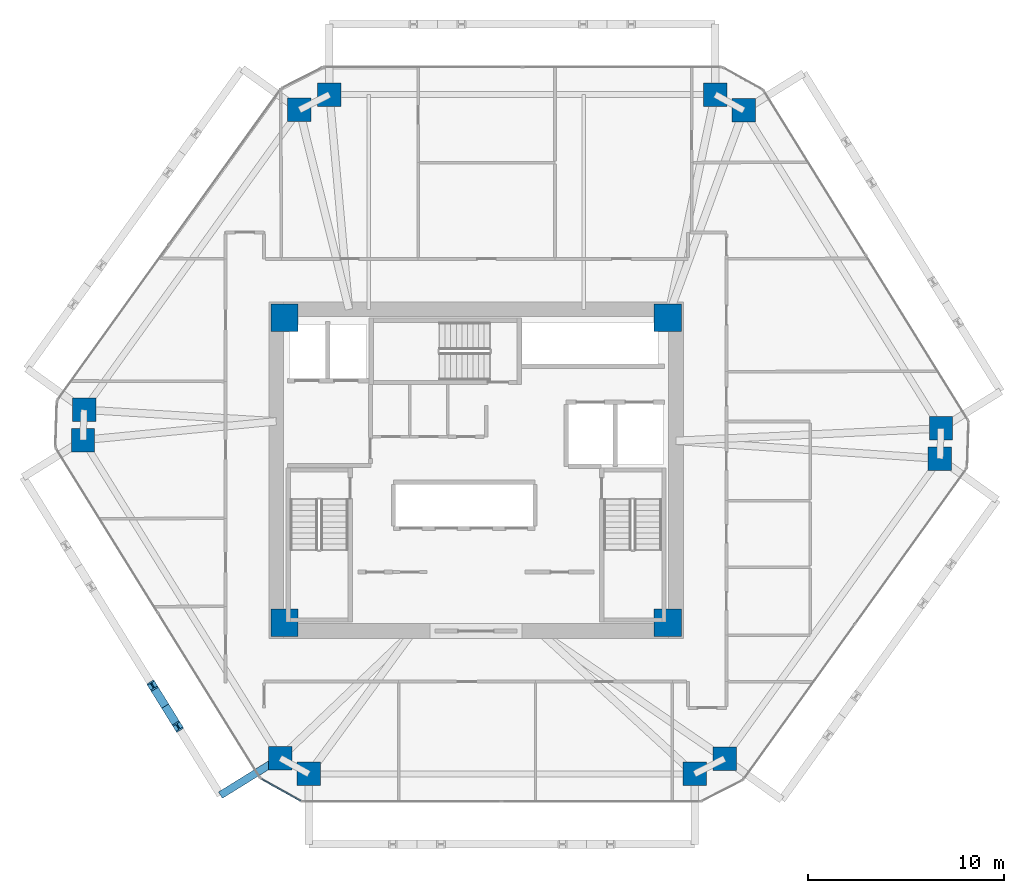
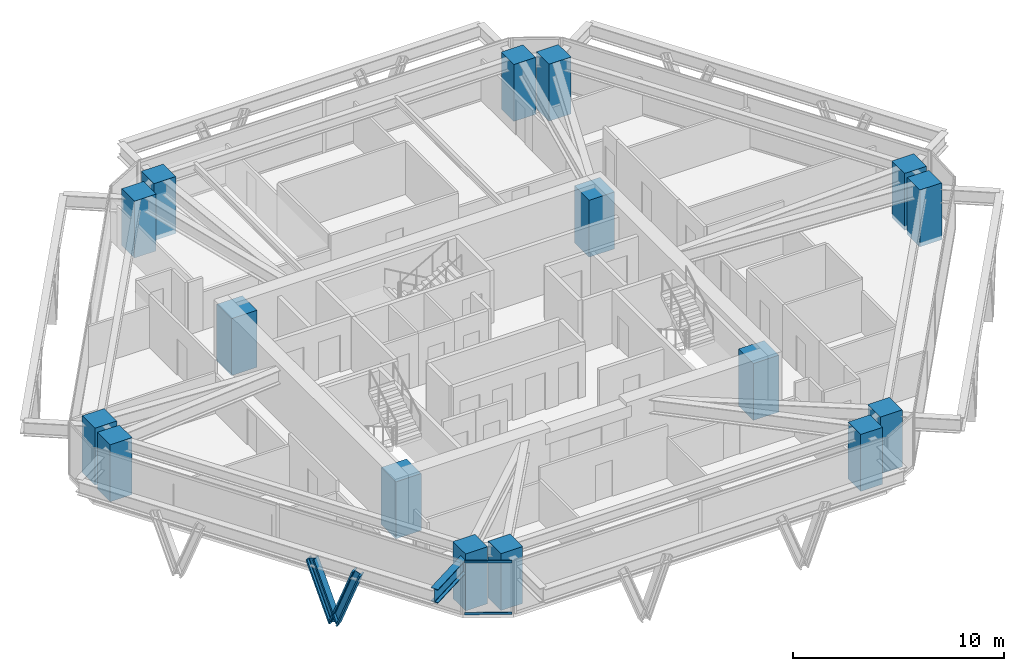
# One storey, part 1 of 14: 16 columns, 4 members, 1 beam, 1 element without a shape of its own.
"""IFC4 building model written with IfcOpenShell, lengths in metres."""

from ifc_helpers import new_model, si_unit, direction, frame, origin, origin_2d, place, context, subcontext, project, spatial, rectangle, i_section, extrude, source, transform, mapped, material, layer, layer_set, material_profile, profile_set, type_object, type_shapes, element, aggregate, save


model = new_model("IFC4")

# Units and contexts
model_context = context("Model", 3, precision=1e-05, world=origin(), true_north=direction((0.0, 1.0)))
body_context = subcontext(model_context, "Body", "Model", "MODEL_VIEW")
ifc_project = project(units=[si_unit("LENGTHUNIT", "METRE"), si_unit("AREAUNIT", "SQUARE_METRE"), si_unit("VOLUMEUNIT", "CUBIC_METRE"), si_unit("PLANEANGLEUNIT", "RADIAN"), si_unit("MASSUNIT", "GRAM", prefix="KILO")], contexts=[model_context])

# Site, building, storey
site_placement = place(None, origin())
site = spatial("IfcSite", under=ifc_project, at=site_placement, CompositionType="ELEMENT")
building_placement = place(site_placement, origin())
building = spatial("IfcBuilding", under=site, at=building_placement, Name="Durnholm Broadcast Tower", CompositionType="ELEMENT")
storey_placement = place(building_placement, frame((0.0, 0.0, 107.39990234375)))
storey = spatial("IfcBuildingStorey", under=building, at=storey_placement, Name="L28", CompositionType="ELEMENT", Elevation=107.39990234375)

# Columns
ifc_material_1 = material(Name="Concrete C70/85", Category="concrete")
ifc_material_profile_1 = material_profile(ifc_material_1, rectangle(XDim=1.39990234375, YDim=1.39990234375, at=origin_2d()), Name="RC1400X1400")
ifc_profile_set_1 = profile_set([ifc_material_profile_1], Name="Concrete C70/85")
column_type_1 = type_object("IfcColumnType", Name="COL-CC-1400", PredefinedType="COLUMN", material=ifc_profile_set_1)
shared_shape_1 = source(origin(), body_context, "Body", "SweptSolid", [
    extrude(rectangle(XDim=1.39990234375, YDim=1.39990234375, at=origin_2d()), origin(), (0.0, 0.0, 1.0), 3.300048828125),
])
type_shapes(column_type_1, [shared_shape_1])
for number, where, z_axis, x_axis, name in (
    (1, (-9.800048828125, -7.800048828125, -0.239990234375), (0.0, 0.0, 1.0), (1.0, 0.0, 0.0), "L28 core corner column 1"),
    (2, (9.800048828125, -7.800048828125, -0.239990234375), (0.0, 0.0, 1.0), (1.0, 0.0, 0.0), "L28 core corner column 2"),
    (3, (9.800048828125, 7.800048828125, -0.239990234375), (0.0, 0.0, 1.0), (1.0, 0.0, 0.0), "L28 core corner column 3"),
    (4, (-9.800048828125, 7.800048828125, -0.239990234375), (0.0, 0.0, 1.0), (1.0, 0.0, 0.0), "L28 core corner column 4"),
):
    element("IfcColumn", number, at=place(storey_placement, frame(where, z_axis=z_axis, x_axis=x_axis)), inside=storey, type_object=column_type_1, Name=name, PredefinedType="COLUMN", context=body_context, shape_type="MappedRepresentation", body=[
        mapped(shared_shape_1, transform((0.0, 0.0, 0.0), x_axis=(1.0, 0.0, 0.0), y_axis=(0.0, 1.0, 0.0), z_axis=(0.0, 0.0, 1.0), scale=1.0)),
    ])
ifc_material_profile_2 = material_profile(ifc_material_1, rectangle(XDim=1.199951171875, YDim=1.199951171875, at=origin_2d()), Name="RC1200X1200")
ifc_profile_set_2 = profile_set([ifc_material_profile_2], Name="Concrete C70/85")
column_type_2 = type_object("IfcColumnType", Name="COL-CC-1200", PredefinedType="COLUMN", material=ifc_profile_set_2)
shared_shape_2 = source(origin(), body_context, "Body", "SweptSolid", [
    extrude(rectangle(XDim=1.199951171875, YDim=1.199951171875, at=origin_2d()), origin(), (0.0, 0.0, 1.0), 3.300048828125),
])
type_shapes(column_type_2, [shared_shape_2])
for number, where, z_axis, x_axis, name in (
    (5, (-10.01416015625, -14.723388671875, -0.239990234375), (0.0, 0.0, 1.0), (1.0, 0.0, 0.0), "L28 perimeter hexagonal tube column 01"),
    (6, (-20.102783203125, 1.54150390625, -0.239990234375), (0.0, 0.0, 1.0), (1.0, 0.0, 0.0), "L28 perimeter hexagonal tube column 02"),
    (7, (-20.050048828125, 3.091064453125, -0.239990234375), (0.0, 0.0, 1.0), (1.0, 0.0, 0.0), "L28 perimeter hexagonal tube column 03"),
    (8, (-9.031982421875, 18.42822265625, -0.239990234375), (0.0, 0.0, 1.0), (1.0, 0.0, 0.0), "L28 perimeter hexagonal tube column 04"),
    (9, (-7.498046875, 19.215087890625, -0.239990234375), (0.0, 0.0, 1.0), (1.0, 0.0, 0.0), "L28 perimeter hexagonal tube column 05"),
    (10, (12.22998046875, 19.215087890625, -0.239990234375), (0.0, 0.0, 1.0), (1.0, 0.0, 0.0), "L28 perimeter hexagonal tube column 06"),
    (11, (13.692138671875, 18.4013671875, -0.239990234375), (0.0, 0.0, 1.0), (1.0, 0.0, 0.0), "L28 perimeter hexagonal tube column 07"),
    (12, (23.78076171875, 2.13671875, -0.239990234375), (0.0, 0.0, 1.0), (1.0, 0.0, 0.0), "L28 perimeter hexagonal tube column 08"),
    (13, (23.72802734375, 0.5869140625, -0.239990234375), (0.0, 0.0, 1.0), (1.0, 0.0, 0.0), "L28 perimeter hexagonal tube column 09"),
    (14, (12.7099609375, -14.750244140625, -0.239990234375), (0.0, 0.0, 1.0), (1.0, 0.0, 0.0), "L28 perimeter hexagonal tube column 10"),
    (15, (11.176025390625, -15.537109375, -0.239990234375), (0.0, 0.0, 1.0), (1.0, 0.0, 0.0), "L28 perimeter hexagonal tube column 11"),
    (16, (-8.552001953125, -15.537109375, -0.239990234375), (0.0, 0.0, 1.0), (1.0, 0.0, 0.0), "L28 perimeter hexagonal tube column 12"),
):
    element("IfcColumn", number, at=place(storey_placement, frame(where, z_axis=z_axis, x_axis=x_axis)), inside=storey, type_object=column_type_2, Name=name, PredefinedType="COLUMN", context=body_context, shape_type="MappedRepresentation", body=[
        mapped(shared_shape_2, transform((0.0, 0.0, 0.0), x_axis=(1.0, 0.0, 0.0), y_axis=(0.0, 1.0, 0.0), z_axis=(0.0, 0.0, 1.0), scale=1.0)),
    ])

# Beam
ifc_material_2 = material(Name="Steel ASTM A992 Grade 50", Category="steel")
ifc_material_profile_3 = material_profile(ifc_material_2, i_section(OverallWidth=0.385009765625, OverallDepth=0.802978515625, WebThickness=0.023681640625, FlangeThickness=0.0419921875, FilletRadius=0.032958984375, at=origin_2d()), Name="W30X261")
ifc_profile_set_3 = profile_set([ifc_material_profile_3], Name="Steel ASTM A992 Grade 50")
beam_type = type_object("IfcBeamType", Name="BM-EXO-TIE", PredefinedType="USERDEFINED", material=ifc_profile_set_3)
shared_shape_3 = source(origin(), body_context, "Body", "SweptSolid", [
    extrude(i_section(OverallWidth=0.385009765625, OverallDepth=0.802978515625, WebThickness=0.023681640625, FlangeThickness=0.0419921875, FilletRadius=0.032958984375, at=origin_2d()), origin(), (0.0, 0.0, 1.0), 3.455810546875),
])
type_shapes(beam_type, [shared_shape_3])
beam_placement = place(storey_placement, frame((-10.13671875, -14.79931640625, 2.30859375), z_axis=(-0.849807128357, -0.527093772107, 0.0), x_axis=(0.527093772107, -0.849807128357, 0.0)))
element("IfcBeam", 17, at=beam_placement, inside=storey, type_object=beam_type, Name="L28 exoskeleton stand-off tie bracket F6.2", ObjectType="GIRDER", PredefinedType="USERDEFINED", context=body_context, shape_type="MappedRepresentation", body=[
    mapped(shared_shape_3, transform((0.0, 0.0, 0.0), x_axis=(1.0, 0.0, 0.0), y_axis=(0.0, 1.0, 0.0), z_axis=(0.0, 0.0, 1.0), scale=1.0)),
])

# Members
ifc_material_3 = material(Name="Steel ASTM A913 Grade 65", Category="steel")
ifc_material_profile_4 = material_profile(ifc_material_3, i_section(OverallWidth=0.424072265625, OverallDepth=0.47412109375, WebThickness=0.047607421875, FlangeThickness=0.0771484375, FilletRadius=0.030517578125, at=origin_2d()), Name="W14X426")
ifc_profile_set_4 = profile_set([ifc_material_profile_4], Name="Steel ASTM A913 Grade 65")
member_type_1 = type_object("IfcMemberType", Name="STL-DG-W14X426", PredefinedType="BRACE", material=ifc_profile_set_4)
shared_shape_4 = source(origin(), body_context, "Body", "SweptSolid", [
    extrude(i_section(OverallWidth=0.424072265625, OverallDepth=0.47412109375, WebThickness=0.047607421875, FlangeThickness=0.0771484375, FilletRadius=0.030517578125, at=origin_2d()), origin(), (0.0, 0.0, 1.0), 3.52294921875),
])
type_shapes(member_type_1, [shared_shape_4])
for number, where, z_axis, x_axis, name in (
    (18, (-15.898193359375, -12.066650390625, -0.9912109375), (-0.184618626166, 0.297579722507, 0.936676182907), (-0.849750220063, -0.527185511469, 0.0), "L28 stand-off diagrid brace F6.D2.1"),
    (19, (-15.898193359375, -12.066650390625, -0.9912109375), (0.184614818514, -0.297642884954, 0.936656864503), (0.849805205368, 0.527096872433, 0.0), "L28 stand-off diagrid brace F6.D2.2"),
):
    element("IfcMember", number, at=place(storey_placement, frame(where, z_axis=z_axis, x_axis=x_axis)), inside=storey, type_object=member_type_1, Name=name, PredefinedType="BRACE", context=body_context, shape_type="MappedRepresentation", body=[
        mapped(shared_shape_4, transform((0.0, 0.0, 0.0), x_axis=(1.0, 0.0, 0.0), y_axis=(0.0, 1.0, 0.0), z_axis=(0.0, 0.0, 1.0), scale=1.0)),
    ])

# Curtain wall, members
ifc_material_4 = material(Name="Aluminium and Solar Control IGU", Category="aluminium")
ifc_layer = layer(ifc_material_4, 0.1650390625)
ifc_layer_set = layer_set([ifc_layer], Name="Aluminium and Solar Control IGU")
curtain_wall_type = type_object("IfcCurtainWallType", Name="CW-SYS-5", PredefinedType="NOTDEFINED", material=ifc_layer_set)
curtain_wall_placement = place(storey_placement, origin())
curtain_wall = element("IfcCurtainWall", 20, at=curtain_wall_placement, inside=storey, type_object=curtain_wall_type, Name="L28 curtain wall CW-CORNER CW-L28-CRN-11", PredefinedType="NOTDEFINED")
ifc_material_5 = material(Name="Aluminium 6063-T6", Category="aluminium")
ifc_material_profile_5 = material_profile(ifc_material_5, rectangle(XDim=0.06494140625, YDim=0.1298828125, at=origin_2d()), Name="CWT65X130")
ifc_profile_set_5 = profile_set([ifc_material_profile_5], Name="Aluminium 6063-T6")
member_type_2 = type_object("IfcMemberType", Name="CW-SYS-5-TRN", PredefinedType="USERDEFINED", material=ifc_profile_set_5)
shared_shape_5 = source(origin(), body_context, "Body", "SweptSolid", [
    extrude(rectangle(XDim=0.06494140625, YDim=0.1298828125, at=origin_2d()), origin(), (0.0, 0.0, 1.0), 2.27001953125),
])
type_shapes(member_type_2, [shared_shape_5])
member_1_placement = place(storey_placement, frame((-8.971923828125, -16.9052734375, 0.03271484375), z_axis=(-0.873832405737, 0.486227237703, 0.0), x_axis=(-0.486227237703, -0.873832405737, 0.0)))
member_1 = element("IfcMember", 21, at=member_1_placement, type_object=member_type_2, Name="CW-CORNER transom 1.1", ObjectType="TRANSOM", PredefinedType="USERDEFINED", context=body_context, shape_type="MappedRepresentation", body=[
    mapped(shared_shape_5, transform((0.0, 0.0, 0.0), x_axis=(1.0, 0.0, 0.0), y_axis=(0.0, 1.0, 0.0), z_axis=(0.0, 0.0, 1.0), scale=1.0)),
])
member_2_placement = place(storey_placement, frame((-8.971923828125, -16.9052734375, 3.027587890625), z_axis=(-0.873832405737, 0.486227237703, 0.0), x_axis=(-0.486227237703, -0.873832405737, 0.0)))
member_2 = element("IfcMember", 22, at=member_2_placement, type_object=member_type_2, Name="CW-CORNER transom 1.2", ObjectType="TRANSOM", PredefinedType="USERDEFINED", context=body_context, shape_type="MappedRepresentation", body=[
    mapped(shared_shape_5, transform((0.0, 0.0, 0.0), x_axis=(1.0, 0.0, 0.0), y_axis=(0.0, 1.0, 0.0), z_axis=(0.0, 0.0, 1.0), scale=1.0)),
])
aggregate(curtain_wall, [member_1, member_2])

save(model, "model.ifc")
